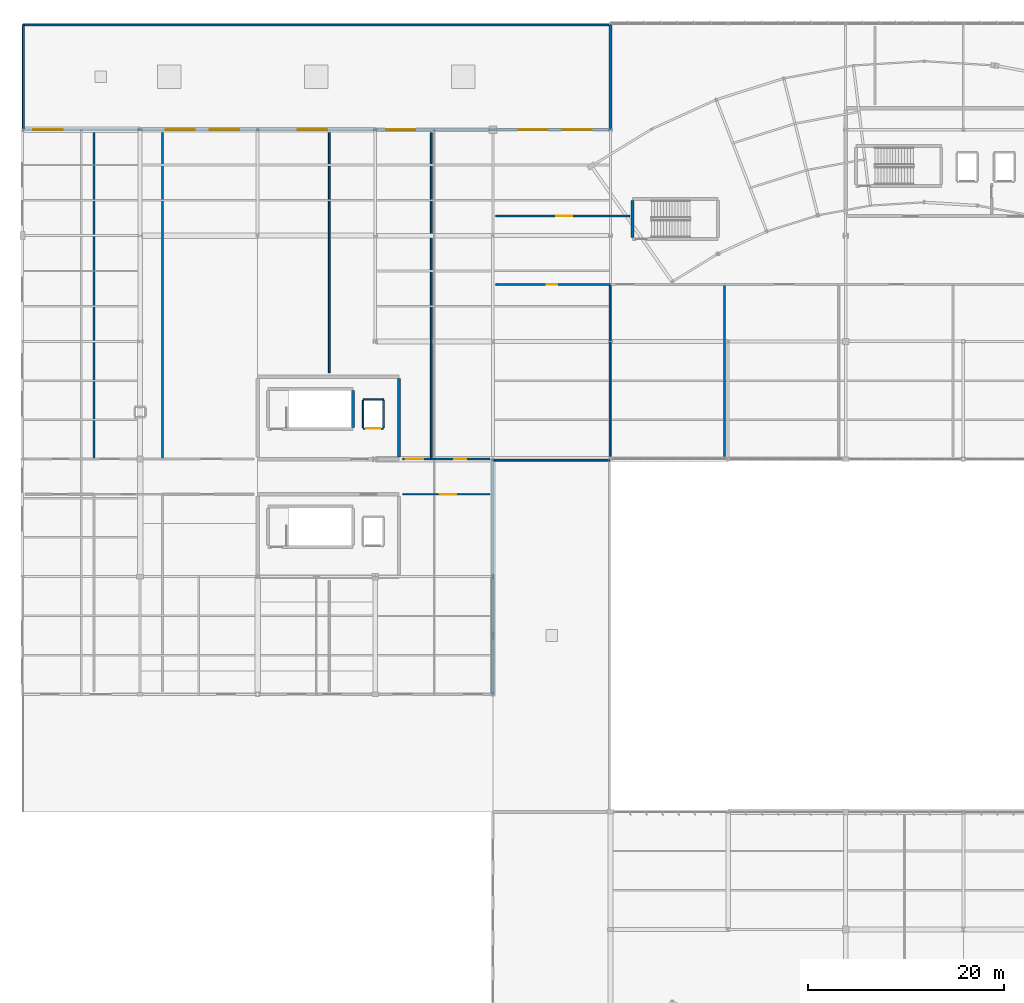
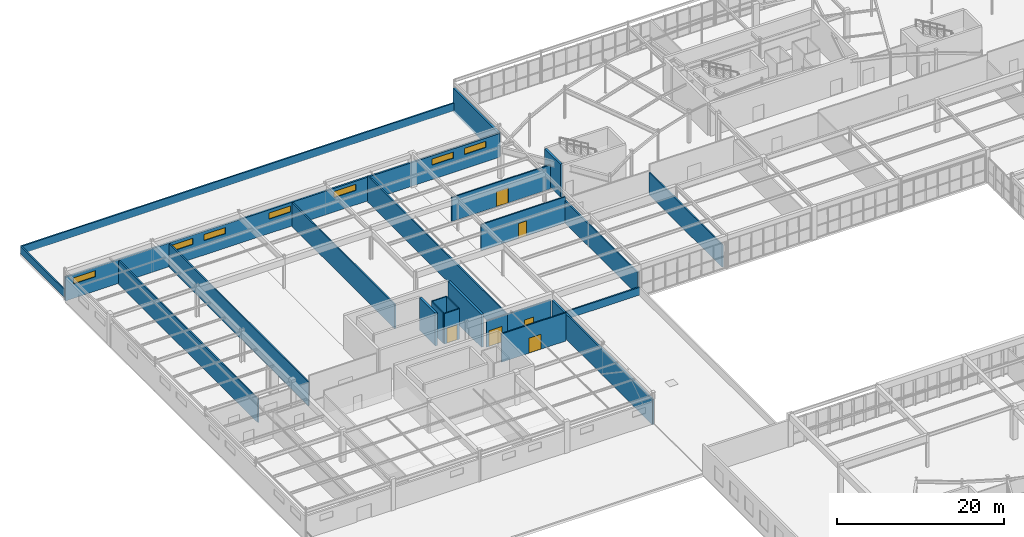
# One storey, part 159 of 186: 24 walls, 7 windows, 6 doors, 13 openings.
"""IFC4 building model written with IfcOpenShell, lengths in metres."""

from ifc_helpers import new_model, si_unit, direction, frame, frame_2d, origin, place, context, subcontext, project, spatial, rectangle, extrude, material, layer, layer_set, type_object, element, fill, save


model = new_model("IFC4")

# Units and contexts
model_context = context("Model", 3, precision=1e-05, world=origin(), true_north=direction((0.0, 1.0)))
body_context = subcontext(model_context, "Body", "Model", "MODEL_VIEW")
ifc_project = project(units=[si_unit("LENGTHUNIT", "METRE"), si_unit("AREAUNIT", "SQUARE_METRE"), si_unit("VOLUMEUNIT", "CUBIC_METRE"), si_unit("PLANEANGLEUNIT", "RADIAN"), si_unit("MASSUNIT", "GRAM", prefix="KILO")], contexts=[model_context])

# Site, building, storey
site_placement = place(None, origin())
site = spatial("IfcSite", under=ifc_project, at=site_placement, CompositionType="ELEMENT")
building_placement = place(site_placement, origin())
building = spatial("IfcBuilding", under=site, at=building_placement, Name="Tarnwether General Hospital", CompositionType="ELEMENT")
storey_placement = place(building_placement, frame((0.0, 0.0, 9.60009765625)))
storey = spatial("IfcBuildingStorey", under=building, at=storey_placement, Name="L02", CompositionType="ELEMENT", Elevation=9.60009765625)

# Wall, openings, windows
ifc_material_1 = material(Name="Folded zinc-titanium cladding")
ifc_layer_1 = layer(ifc_material_1, 0.239990234375)
ifc_layer_set_1 = layer_set([ifc_layer_1], Name="Folded zinc-titanium cladding")
wall_type_1 = type_object("IfcWallType", Name="WL-EX240", PredefinedType="STANDARD", material=ifc_layer_set_1)
wall_1_placement = place(storey_placement, frame((0.0, 115.199951171875, 0.0), z_axis=(0.0, 0.0, 1.0), x_axis=(1.0, 0.0, 0.0)))
wall_1 = element("IfcWall", 1, at=wall_1_placement, inside=storey, type_object=wall_type_1, Name="L02 Operating Suite North Wall EW-L02-0315", PredefinedType="STANDARD", context=body_context, shape_type="SweptSolid", body=[
    extrude(rectangle(XDim=60.0, YDim=0.239990234375, at=frame_2d((30.0, 0.0))), origin(), (0.0, 0.0, 1.0), 3.46484375),
])
opening_1_placement = place(wall_1_placement, frame((1.10009765625, 0.0, 2.10009765625)))
opening_1 = element("IfcOpeningElement", 2, at=opening_1_placement, cuts=wall_1, Name="Opening W-20", PredefinedType="OPENING", context=body_context, shape_type="SweptSolid", body=[
    extrude(rectangle(XDim=3.0, YDim=0.89990234375, at=frame_2d((1.5, 0.449951171875))), frame((0.0, 0.1298828125, 0.0), z_axis=(0.0, -1.0, 0.0), x_axis=(1.0, 0.0, 0.0)), (0.0, 0.0, 1.0), 0.260009765625),
])
opening_2_placement = place(wall_1_placement, frame((14.60009765625, 0.0, 2.10009765625)))
opening_2 = element("IfcOpeningElement", 3, at=opening_2_placement, cuts=wall_1, Name="Opening W-20", PredefinedType="OPENING", context=body_context, shape_type="SweptSolid", body=[
    extrude(rectangle(XDim=3.0, YDim=0.89990234375, at=frame_2d((1.5, 0.449951171875))), frame((0.0, 0.1298828125, 0.0), z_axis=(0.0, -1.0, 0.0), x_axis=(1.0, 0.0, 0.0)), (0.0, 0.0, 1.0), 0.260009765625),
])
opening_3_placement = place(wall_1_placement, frame((19.10009765625, 0.0, 2.10009765625)))
opening_3 = element("IfcOpeningElement", 4, at=opening_3_placement, cuts=wall_1, Name="Opening W-20", PredefinedType="OPENING", context=body_context, shape_type="SweptSolid", body=[
    extrude(rectangle(XDim=3.0, YDim=0.89990234375, at=frame_2d((1.5, 0.449951171875))), frame((0.0, 0.1298828125, 0.0), z_axis=(0.0, -1.0, 0.0), x_axis=(1.0, 0.0, 0.0)), (0.0, 0.0, 1.0), 0.260009765625),
])
opening_4_placement = place(wall_1_placement, frame((28.10009765625, 0.0, 2.10009765625)))
opening_4 = element("IfcOpeningElement", 5, at=opening_4_placement, cuts=wall_1, Name="Opening W-20", PredefinedType="OPENING", context=body_context, shape_type="SweptSolid", body=[
    extrude(rectangle(XDim=3.0, YDim=0.89990234375, at=frame_2d((1.5, 0.449951171875))), frame((0.0, 0.1298828125, 0.0), z_axis=(0.0, -1.0, 0.0), x_axis=(1.0, 0.0, 0.0)), (0.0, 0.0, 1.0), 0.260009765625),
])
opening_5_placement = place(wall_1_placement, frame((37.10009765625, 0.0, 2.10009765625)))
opening_5 = element("IfcOpeningElement", 6, at=opening_5_placement, cuts=wall_1, Name="Opening W-20", PredefinedType="OPENING", context=body_context, shape_type="SweptSolid", body=[
    extrude(rectangle(XDim=3.0, YDim=0.89990234375, at=frame_2d((1.5, 0.449951171875))), frame((0.0, 0.1298828125, 0.0), z_axis=(0.0, -1.0, 0.0), x_axis=(1.0, 0.0, 0.0)), (0.0, 0.0, 1.0), 0.260009765625),
])
opening_6_placement = place(wall_1_placement, frame((50.60009765625, 0.0, 2.10009765625)))
opening_6 = element("IfcOpeningElement", 7, at=opening_6_placement, cuts=wall_1, Name="Opening W-20", PredefinedType="OPENING", context=body_context, shape_type="SweptSolid", body=[
    extrude(rectangle(XDim=3.0, YDim=0.89990234375, at=frame_2d((1.5, 0.449951171875))), frame((0.0, 0.1298828125, 0.0), z_axis=(0.0, -1.0, 0.0), x_axis=(1.0, 0.0, 0.0)), (0.0, 0.0, 1.0), 0.260009765625),
])
opening_7_placement = place(wall_1_placement, frame((55.10009765625, 0.0, 2.10009765625)))
opening_7 = element("IfcOpeningElement", 8, at=opening_7_placement, cuts=wall_1, Name="Opening W-20", PredefinedType="OPENING", context=body_context, shape_type="SweptSolid", body=[
    extrude(rectangle(XDim=3.0, YDim=0.89990234375, at=frame_2d((1.5, 0.449951171875))), frame((0.0, 0.1298828125, 0.0), z_axis=(0.0, -1.0, 0.0), x_axis=(1.0, 0.0, 0.0)), (0.0, 0.0, 1.0), 0.260009765625),
])
ifc_material_2 = material(Name="Double glazed low-E glass", Category="glass")
window_type = type_object("IfcWindowType", Name="WN-20", PartitioningType="TRIPLE_PANEL_VERTICAL", PredefinedType="WINDOW", material=ifc_material_2)
window_1_placement = place(opening_1_placement, origin())
window_1 = element("IfcWindow", 9, at=window_1_placement, inside=storey, type_object=window_type, Name="Window WN-L02-0122", OverallHeight=0.89990234375, OverallWidth=3.0, PartitioningType="TRIPLE_PANEL_VERTICAL", PredefinedType="WINDOW", context=body_context, shape_type="SweptSolid", body=[
    extrude(rectangle(XDim=3.0, YDim=0.89990234375, at=frame_2d((1.5, 0.449951171875))), frame((0.0, 0.030029296875, 0.0), z_axis=(0.0, -1.0, 0.0), x_axis=(1.0, 0.0, 0.0)), (0.0, 0.0, 1.0), 0.06005859375),
])
fill(opening_1, window_1)
window_2_placement = place(opening_2_placement, origin())
window_2 = element("IfcWindow", 10, at=window_2_placement, inside=storey, type_object=window_type, Name="Window WN-L02-0123", OverallHeight=0.89990234375, OverallWidth=3.0, PartitioningType="TRIPLE_PANEL_VERTICAL", PredefinedType="WINDOW", context=body_context, shape_type="SweptSolid", body=[
    extrude(rectangle(XDim=3.0, YDim=0.89990234375, at=frame_2d((1.5, 0.449951171875))), frame((0.0, 0.030029296875, 0.0), z_axis=(0.0, -1.0, 0.0), x_axis=(1.0, 0.0, 0.0)), (0.0, 0.0, 1.0), 0.06005859375),
])
fill(opening_2, window_2)
window_3_placement = place(opening_3_placement, origin())
window_3 = element("IfcWindow", 11, at=window_3_placement, inside=storey, type_object=window_type, Name="Window WN-L02-0124", OverallHeight=0.89990234375, OverallWidth=3.0, PartitioningType="TRIPLE_PANEL_VERTICAL", PredefinedType="WINDOW", context=body_context, shape_type="SweptSolid", body=[
    extrude(rectangle(XDim=3.0, YDim=0.89990234375, at=frame_2d((1.5, 0.449951171875))), frame((0.0, 0.030029296875, 0.0), z_axis=(0.0, -1.0, 0.0), x_axis=(1.0, 0.0, 0.0)), (0.0, 0.0, 1.0), 0.06005859375),
])
fill(opening_3, window_3)
window_4_placement = place(opening_4_placement, origin())
window_4 = element("IfcWindow", 12, at=window_4_placement, inside=storey, type_object=window_type, Name="Window WN-L02-0125", OverallHeight=0.89990234375, OverallWidth=3.0, PartitioningType="TRIPLE_PANEL_VERTICAL", PredefinedType="WINDOW", context=body_context, shape_type="SweptSolid", body=[
    extrude(rectangle(XDim=3.0, YDim=0.89990234375, at=frame_2d((1.5, 0.449951171875))), frame((0.0, 0.030029296875, 0.0), z_axis=(0.0, -1.0, 0.0), x_axis=(1.0, 0.0, 0.0)), (0.0, 0.0, 1.0), 0.06005859375),
])
fill(opening_4, window_4)
window_5_placement = place(opening_5_placement, origin())
window_5 = element("IfcWindow", 13, at=window_5_placement, inside=storey, type_object=window_type, Name="Window WN-L02-0126", OverallHeight=0.89990234375, OverallWidth=3.0, PartitioningType="TRIPLE_PANEL_VERTICAL", PredefinedType="WINDOW", context=body_context, shape_type="SweptSolid", body=[
    extrude(rectangle(XDim=3.0, YDim=0.89990234375, at=frame_2d((1.5, 0.449951171875))), frame((0.0, 0.030029296875, 0.0), z_axis=(0.0, -1.0, 0.0), x_axis=(1.0, 0.0, 0.0)), (0.0, 0.0, 1.0), 0.06005859375),
])
fill(opening_5, window_5)
window_6_placement = place(opening_6_placement, origin())
window_6 = element("IfcWindow", 14, at=window_6_placement, inside=storey, type_object=window_type, Name="Window WN-L02-0127", OverallHeight=0.89990234375, OverallWidth=3.0, PartitioningType="TRIPLE_PANEL_VERTICAL", PredefinedType="WINDOW", context=body_context, shape_type="SweptSolid", body=[
    extrude(rectangle(XDim=3.0, YDim=0.89990234375, at=frame_2d((1.5, 0.449951171875))), frame((0.0, 0.030029296875, 0.0), z_axis=(0.0, -1.0, 0.0), x_axis=(1.0, 0.0, 0.0)), (0.0, 0.0, 1.0), 0.06005859375),
])
fill(opening_6, window_6)
window_7_placement = place(opening_7_placement, origin())
window_7 = element("IfcWindow", 15, at=window_7_placement, inside=storey, type_object=window_type, Name="Window WN-L02-0128", OverallHeight=0.89990234375, OverallWidth=3.0, PartitioningType="TRIPLE_PANEL_VERTICAL", PredefinedType="WINDOW", context=body_context, shape_type="SweptSolid", body=[
    extrude(rectangle(XDim=3.0, YDim=0.89990234375, at=frame_2d((1.5, 0.449951171875))), frame((0.0, 0.030029296875, 0.0), z_axis=(0.0, -1.0, 0.0), x_axis=(1.0, 0.0, 0.0)), (0.0, 0.0, 1.0), 0.06005859375),
])
fill(opening_7, window_7)

# Walls
wall_2_placement = place(storey_placement, frame((48.0, 81.60009765625, 0.0), z_axis=(0.0, 0.0, 1.0), x_axis=(0.0, -1.0, 0.0)))
element("IfcWall", 16, at=wall_2_placement, inside=storey, type_object=wall_type_1, Name="L02 Operating Suite East Courtyard Wall EW-L02-0319", PredefinedType="STANDARD", context=body_context, shape_type="SweptSolid", body=[
    extrude(rectangle(XDim=24.0, YDim=0.239990234375, at=frame_2d((12.0, 0.0))), origin(), (0.0, 0.0, 1.0), 3.664794921875),
])
ifc_material_3 = material(Name="Precast concrete 40 MPa", Category="concrete")
ifc_layer_2 = layer(ifc_material_3, 0.280029296875)
ifc_layer_set_2 = layer_set([ifc_layer_2], Name="Precast concrete 40 MPa")
wall_type_2 = type_object("IfcWallType", Name="WL-EX280", PredefinedType="STANDARD", material=ifc_layer_set_2)
wall_3_placement = place(storey_placement, frame((60.0, 115.199951171875, 0.0), z_axis=(0.0, 0.0, 1.0), x_axis=(0.0, 1.0, 0.0)))
element("IfcWall", 17, at=wall_3_placement, inside=storey, type_object=wall_type_2, Name="L02 Perioperative North-West Step Wall EW-L02-0316", PredefinedType="STANDARD", context=body_context, shape_type="SweptSolid", body=[
    extrude(rectangle(XDim=10.800048828125, YDim=0.280029296875, at=frame_2d((5.39990234375, 0.0))), origin(), (0.0, 0.0, 1.0), 3.514892578125),
])
ifc_material_4 = material(Name="Precast concrete 40 MPa", Category="concrete")
ifc_layer_3 = layer(ifc_material_4, 0.199951171875)
ifc_layer_set_3 = layer_set([ifc_layer_3], Name="Precast concrete 40 MPa")
wall_type_3 = type_object("IfcWallType", Name="WL-PR200", PredefinedType="PARAPET", material=ifc_layer_set_3)
wall_4_placement = place(storey_placement, frame((0.10009765625, 115.300048828125, 0.329833984375), z_axis=(0.0, 0.0, 1.0), x_axis=(0.0, 1.0, 0.0)))
element("IfcWall", 18, at=wall_4_placement, inside=storey, type_object=wall_type_3, Name="Flat Roof Parapet EW-L02-0345", PredefinedType="PARAPET", context=body_context, shape_type="SweptSolid", body=[
    extrude(rectangle(XDim=10.599853515625, YDim=0.199951171875, at=frame_2d((5.2998046875, 0.0))), origin(), (0.0, 0.0, 1.0), 1.1201171875),
])
wall_5_placement = place(storey_placement, frame((0.10009765625, 125.89990234375, 0.329833984375), z_axis=(0.0, 0.0, 1.0), x_axis=(1.0, 0.0, 0.0)))
element("IfcWall", 19, at=wall_5_placement, inside=storey, type_object=wall_type_3, Name="Flat Roof Parapet EW-L02-0346", PredefinedType="PARAPET", context=body_context, shape_type="SweptSolid", body=[
    extrude(rectangle(XDim=59.7998046875, YDim=0.199951171875, at=frame_2d((29.89990234375, 0.0))), origin(), (0.0, 0.0, 1.0), 1.1201171875),
])
wall_6_placement = place(storey_placement, frame((48.10009765625, 81.5, 0.329833984375), z_axis=(0.0, 0.0, 1.0), x_axis=(1.0, 0.0, 0.0)))
element("IfcWall", 20, at=wall_6_placement, inside=storey, type_object=wall_type_3, Name="Flat Roof Parapet EW-L02-0347", PredefinedType="PARAPET", context=body_context, shape_type="SweptSolid", body=[
    extrude(rectangle(XDim=11.7998046875, YDim=0.199951171875, at=frame_2d((5.89990234375, 0.0))), origin(), (0.0, 0.0, 1.0), 1.1201171875),
])

# Wall, opening, door
ifc_material_5 = material(Name="Gypsum plasterboard")
ifc_layer_4 = layer(ifc_material_5, 0.159912109375)
ifc_layer_set_4 = layer_set([ifc_layer_4], Name="Gypsum plasterboard")
wall_type_4 = type_object("IfcWallType", Name="WL-PT160", PredefinedType="PARTITIONING", material=ifc_layer_set_4)
wall_7_placement = place(storey_placement, frame((34.760009765625, 84.7099609375, 0.0), z_axis=(0.0, 0.0, 1.0), x_axis=(1.0, 0.0, 0.0)))
wall_7 = element("IfcWall", 21, at=wall_7_placement, inside=storey, type_object=wall_type_4, Name="Lift L-08 Shaft Wall LSH-L-08-L02-S", PredefinedType="PARTITIONING", context=body_context, shape_type="SweptSolid", body=[
    extrude(rectangle(XDim=2.080078125, YDim=0.159912109375, at=frame_2d((1.0400390625, 0.0))), origin(), (0.0, 0.0, 1.0), 4.429931640625),
])
opening_8_placement = place(wall_7_placement, frame((0.340087890625, 0.0, 0.0)))
opening_8 = element("IfcOpeningElement", 22, at=opening_8_placement, cuts=wall_7, Name="Opening LD-01", PredefinedType="OPENING", context=body_context, shape_type="SweptSolid", body=[
    extrude(rectangle(XDim=1.39990234375, YDim=2.199951171875, at=frame_2d((0.699951171875, 1.10009765625))), frame((0.0, 0.08984375, 0.0), z_axis=(0.0, -1.0, 0.0), x_axis=(1.0, 0.0, 0.0)), (0.0, 0.0, 1.0), 0.179931640625),
])
ifc_material_6 = material(Name="Anodised aluminium", Category="aluminium")
door_type_1 = type_object("IfcDoorType", Name="DR-LD01", OperationType="NOTDEFINED", PredefinedType="DOOR", material=ifc_material_6)
door_1_placement = place(opening_8_placement, origin())
door_1 = element("IfcDoor", 23, at=door_1_placement, inside=storey, type_object=door_type_1, Name="Lift L-08 Sliding Landing Door L02", OperationType="SLIDING_TO_RIGHT", OverallHeight=2.199951171875, OverallWidth=1.39990234375, PredefinedType="DOOR", context=body_context, shape_type="SweptSolid", body=[
    extrude(rectangle(XDim=1.39990234375, YDim=2.199951171875, at=frame_2d((0.699951171875, 1.10009765625))), frame((0.0, 0.02490234375, 0.0), z_axis=(0.0, -1.0, 0.0), x_axis=(1.0, 0.0, 0.0)), (0.0, 0.0, 1.0), 0.050048828125),
])
fill(opening_8, door_1)

# Walls
wall_8_placement = place(storey_placement, frame((36.840087890625, 87.68994140625, 0.0), z_axis=(0.0, 0.0, 1.0), x_axis=(-1.0, 0.0, 0.0)))
element("IfcWall", 24, at=wall_8_placement, inside=storey, type_object=wall_type_4, Name="Lift L-08 Shaft Wall LSH-L-08-L02-N", PredefinedType="PARTITIONING", context=body_context, shape_type="SweptSolid", body=[
    extrude(rectangle(XDim=2.080078125, YDim=0.159912109375, at=frame_2d((1.0400390625, 0.0))), origin(), (0.0, 0.0, 1.0), 4.429931640625),
])
for number, where, z_axis, x_axis, name in (
    (25, (34.760009765625, 87.590087890625, 0.0), (0.0, 0.0, 1.0), (0.0, -1.0, 0.0), "Lift L-08 Shaft Wall LSH-L-08-L02-W"),
    (26, (36.840087890625, 84.81005859375, 0.0), (0.0, 0.0, 1.0), (0.0, 1.0, 0.0), "Lift L-08 Shaft Wall LSH-L-08-L02-E"),
):
    element("IfcWall", number, at=place(storey_placement, frame(where, z_axis=z_axis, x_axis=x_axis)), inside=storey, type_object=wall_type_4, Name=name, PredefinedType="PARTITIONING", context=body_context, shape_type="SweptSolid", body=[
        extrude(rectangle(XDim=2.780029296875, YDim=0.159912109375, at=frame_2d((1.39013671875, 0.0))), origin(), (0.0, 0.0, 1.0), 4.429931640625),
    ])

# Wall, opening, door
ifc_material_7 = material(Name="Gypsum plasterboard")
ifc_layer_5 = layer(ifc_material_7, 0.179931640625)
ifc_layer_set_5 = layer_set([ifc_layer_5], Name="Gypsum plasterboard")
wall_type_5 = type_object("IfcWallType", Name="WL-PT180", PredefinedType="PARTITIONING", material=ifc_layer_set_5)
wall_9_placement = place(storey_placement, frame((38.800048828125, 78.0, 0.0), z_axis=(0.0, 0.0, 1.0), x_axis=(1.0, 0.0, 0.0)))
wall_9 = element("IfcWall", 27, at=wall_9_placement, inside=storey, type_object=wall_type_5, Name="Interior Partition PT-L02-0246", PredefinedType="PARTITIONING", context=body_context, shape_type="SweptSolid", body=[
    extrude(rectangle(XDim=8.89990234375, YDim=0.179931640625, at=frame_2d((4.449951171875, 0.0))), origin(), (0.0, 0.0, 1.0), 4.135009765625),
])
opening_9_placement = place(wall_9_placement, frame((3.800048828125, 0.0, 0.0)))
opening_9 = element("IfcOpeningElement", 28, at=opening_9_placement, cuts=wall_9, Name="Opening FD-01", PredefinedType="OPENING", context=body_context, shape_type="SweptSolid", body=[
    extrude(rectangle(XDim=1.639892578125, YDim=2.199951171875, at=frame_2d((0.81982421875, 1.10009765625))), frame((0.0, 0.10009765625, 0.0), z_axis=(0.0, -1.0, 0.0), x_axis=(1.0, 0.0, 0.0)), (0.0, 0.0, 1.0), 0.199951171875),
])
ifc_material_8 = material(Name="Anodised aluminium", Category="aluminium")
door_type_2 = type_object("IfcDoorType", Name="DR-FD01", OperationType="NOTDEFINED", PredefinedType="DOOR", material=ifc_material_8)
door_2_placement = place(opening_9_placement, origin())
door_2 = element("IfcDoor", 29, at=door_2_placement, inside=storey, type_object=door_type_2, Name="Interior Door DR-L02-0136", OperationType="DOUBLE_DOOR_SINGLE_SWING", OverallHeight=2.199951171875, OverallWidth=1.639892578125, PredefinedType="DOOR", context=body_context, shape_type="SweptSolid", body=[
    extrude(rectangle(XDim=1.639892578125, YDim=2.199951171875, at=frame_2d((0.81982421875, 1.10009765625))), frame((0.0, 0.02490234375, 0.0), z_axis=(0.0, -1.0, 0.0), x_axis=(1.0, 0.0, 0.0)), (0.0, 0.0, 1.0), 0.050048828125),
])
fill(opening_9, door_2)

# Walls
for number, where, z_axis, x_axis, name in (
    (30, (7.300048828125, 81.60009765625, 0.0), (0.0, 0.0, 1.0), (0.0, 1.0, 0.0), "Interior Partition PT-L02-0248"),
    (31, (14.300048828125, 81.60009765625, 0.0), (0.0, 0.0, 1.0), (0.0, 1.0, 0.0), "Interior Partition PT-L02-0250"),
):
    element("IfcWall", number, at=place(storey_placement, frame(where, z_axis=z_axis, x_axis=x_axis)), inside=storey, type_object=wall_type_5, Name=name, PredefinedType="PARTITIONING", context=body_context, shape_type="SweptSolid", body=[
        extrude(rectangle(XDim=33.2998046875, YDim=0.179931640625, at=frame_2d((16.64990234375, 0.0))), origin(), (0.0, 0.0, 1.0), 3.46484375),
    ])
wall_10_placement = place(storey_placement, frame((31.300048828125, 90.39990234375, 0.0), z_axis=(0.0, 0.0, 1.0), x_axis=(0.0, 1.0, 0.0)))
element("IfcWall", 32, at=wall_10_placement, inside=storey, type_object=wall_type_5, Name="Interior Partition PT-L02-0252", PredefinedType="PARTITIONING", context=body_context, shape_type="SweptSolid", body=[
    extrude(rectangle(XDim=24.5, YDim=0.179931640625, at=frame_2d((12.25, 0.0))), origin(), (0.0, 0.0, 1.0), 3.514892578125),
])

# Wall, opening, door
wall_11_placement = place(storey_placement, frame((38.800048828125, 81.60009765625, 0.0), z_axis=(0.0, 0.0, 1.0), x_axis=(1.0, 0.0, 0.0)))
wall_11 = element("IfcWall", 33, at=wall_11_placement, inside=storey, type_object=wall_type_5, Name="Interior Partition PT-L02-0253", PredefinedType="PARTITIONING", context=body_context, shape_type="SweptSolid", body=[
    extrude(rectangle(XDim=2.89990234375, YDim=0.179931640625, at=frame_2d((1.449951171875, 0.0))), origin(), (0.0, 0.0, 1.0), 3.8349609375),
])
opening_10_placement = place(wall_11_placement, frame((0.320068359375, 0.0, 0.0)))
opening_10 = element("IfcOpeningElement", 34, at=opening_10_placement, cuts=wall_11, Name="Opening SD-01", PredefinedType="OPENING", context=body_context, shape_type="SweptSolid", body=[
    extrude(rectangle(XDim=1.800048828125, YDim=2.320068359375, at=frame_2d((0.89990234375, 1.16015625))), frame((0.0, 0.10009765625, 0.0), z_axis=(0.0, -1.0, 0.0), x_axis=(1.0, 0.0, 0.0)), (0.0, 0.0, 1.0), 0.199951171875),
])
ifc_material_9 = material(Name="Anodised aluminium", Category="aluminium")
door_type_3 = type_object("IfcDoorType", Name="DR-OR01", OperationType="NOTDEFINED", PredefinedType="DOOR", material=ifc_material_9)
door_3_placement = place(opening_10_placement, origin())
door_3 = element("IfcDoor", 35, at=door_3_placement, inside=storey, type_object=door_type_3, Name="Interior Door DR-L02-0140", OperationType="SLIDING_TO_LEFT", OverallHeight=2.320068359375, OverallWidth=1.800048828125, PredefinedType="DOOR", context=body_context, shape_type="SweptSolid", body=[
    extrude(rectangle(XDim=1.800048828125, YDim=2.320068359375, at=frame_2d((0.89990234375, 1.16015625))), frame((0.0, 0.02490234375, 0.0), z_axis=(0.0, -1.0, 0.0), x_axis=(1.0, 0.0, 0.0)), (0.0, 0.0, 1.0), 0.050048828125),
])
fill(opening_10, door_3)

# Wall
wall_12_placement = place(storey_placement, frame((41.699951171875, 81.60009765625, 0.0), z_axis=(0.0, 0.0, 1.0), x_axis=(0.0, 1.0, 0.0)))
element("IfcWall", 36, at=wall_12_placement, inside=storey, type_object=wall_type_5, Name="Interior Partition PT-L02-0254", PredefinedType="PARTITIONING", context=body_context, shape_type="SweptSolid", body=[
    extrude(rectangle(XDim=33.2998046875, YDim=0.179931640625, at=frame_2d((16.64990234375, 0.0))), origin(), (0.0, 0.0, 1.0), 3.8349609375),
])

# Wall, opening, door
wall_13_placement = place(storey_placement, frame((41.699951171875, 81.60009765625, 0.0), z_axis=(0.0, 0.0, 1.0), x_axis=(1.0, 0.0, 0.0)))
wall_13 = element("IfcWall", 37, at=wall_13_placement, inside=storey, type_object=wall_type_5, Name="Interior Partition PT-L02-0255", PredefinedType="PARTITIONING", context=body_context, shape_type="SweptSolid", body=[
    extrude(rectangle(XDim=6.0, YDim=0.179931640625, at=frame_2d((3.0, 0.0))), origin(), (0.0, 0.0, 1.0), 3.8349609375),
])
opening_11_placement = place(wall_13_placement, frame((2.35009765625, 0.0, 0.0)))
opening_11 = element("IfcOpeningElement", 38, at=opening_11_placement, cuts=wall_13, Name="Opening FD-05", PredefinedType="OPENING", context=body_context, shape_type="SweptSolid", body=[
    extrude(rectangle(XDim=1.25, YDim=2.14990234375, at=frame_2d((0.625, 1.074951171875))), frame((0.0, 0.10009765625, 0.0), z_axis=(0.0, -1.0, 0.0), x_axis=(1.0, 0.0, 0.0)), (0.0, 0.0, 1.0), 0.199951171875),
])
ifc_material_10 = material(Name="Anodised aluminium", Category="aluminium")
door_type_4 = type_object("IfcDoorType", Name="DR-FD05", OperationType="NOTDEFINED", PredefinedType="DOOR", material=ifc_material_10)
door_4_placement = place(opening_11_placement, origin())
door_4 = element("IfcDoor", 39, at=door_4_placement, inside=storey, type_object=door_type_4, Name="Interior Door DR-L02-0141", OperationType="SINGLE_SWING_LEFT", OverallHeight=2.14990234375, OverallWidth=1.25, PredefinedType="DOOR", context=body_context, shape_type="SweptSolid", body=[
    extrude(rectangle(XDim=1.25, YDim=2.14990234375, at=frame_2d((0.625, 1.074951171875))), frame((0.0, 0.02490234375, 0.0), z_axis=(0.0, -1.0, 0.0), x_axis=(1.0, 0.0, 0.0)), (0.0, 0.0, 1.0), 0.050048828125),
])
fill(opening_11, door_4)

wall_14_placement = place(storey_placement, frame((48.300048828125, 99.39990234375, 0.0), z_axis=(0.0, 0.0, 1.0), x_axis=(1.0, 0.0, 0.0)))
wall_14 = element("IfcWall", 40, at=wall_14_placement, inside=storey, type_object=wall_type_5, Name="Interior Partition PT-L02-0256", PredefinedType="PARTITIONING", context=body_context, shape_type="SweptSolid", body=[
    extrude(rectangle(XDim=11.662841796875, YDim=0.179931640625, at=frame_2d((5.83154296875, 0.0))), origin(), (0.0, 0.0, 1.0), 3.802978515625),
])
opening_12_placement = place(wall_14_placement, frame((5.181884765625, 0.0, 0.0)))
opening_12 = element("IfcOpeningElement", 41, at=opening_12_placement, cuts=wall_14, Name="Opening FD-06", PredefinedType="OPENING", context=body_context, shape_type="SweptSolid", body=[
    extrude(rectangle(XDim=1.10009765625, YDim=2.14990234375, at=frame_2d((0.550048828125, 1.074951171875))), frame((0.0, 0.10009765625, 0.0), z_axis=(0.0, -1.0, 0.0), x_axis=(1.0, 0.0, 0.0)), (0.0, 0.0, 1.0), 0.199951171875),
])
ifc_material_11 = material(Name="Anodised aluminium", Category="aluminium")
door_type_5 = type_object("IfcDoorType", Name="DR-FD06", OperationType="NOTDEFINED", PredefinedType="DOOR", material=ifc_material_11)
door_5_placement = place(opening_12_placement, origin())
door_5 = element("IfcDoor", 42, at=door_5_placement, inside=storey, type_object=door_type_5, Name="Interior Door DR-L02-0142", OperationType="SINGLE_SWING_RIGHT", OverallHeight=2.14990234375, OverallWidth=1.10009765625, PredefinedType="DOOR", context=body_context, shape_type="SweptSolid", body=[
    extrude(rectangle(XDim=1.10009765625, YDim=2.14990234375, at=frame_2d((0.550048828125, 1.074951171875))), frame((0.0, 0.02490234375, 0.0), z_axis=(0.0, -1.0, 0.0), x_axis=(1.0, 0.0, 0.0)), (0.0, 0.0, 1.0), 0.050048828125),
])
fill(opening_12, door_5)

# Walls
for number, where, z_axis, x_axis, name in (
    (43, (59.962890625, 81.89990234375, 0.0), (0.0, 0.0, 1.0), (0.0, 1.0, 0.0), "Interior Partition PT-L02-0257"),
    (44, (71.6259765625, 81.89990234375, 0.0), (0.0, 0.0, 1.0), (0.0, 1.0, 0.0), "Interior Partition PT-L02-0259"),
):
    element("IfcWall", number, at=place(storey_placement, frame(where, z_axis=z_axis, x_axis=x_axis)), inside=storey, type_object=wall_type_5, Name=name, PredefinedType="PARTITIONING", context=body_context, shape_type="SweptSolid", body=[
        extrude(rectangle(XDim=17.5, YDim=0.179931640625, at=frame_2d((8.75, 0.0))), origin(), (0.0, 0.0, 1.0), 3.284912109375),
    ])

# Wall, opening, door
wall_15_placement = place(storey_placement, frame((48.300048828125, 106.39990234375, 0.0), z_axis=(0.0, 0.0, 1.0), x_axis=(1.0, 0.0, 0.0)))
wall_15 = element("IfcWall", 45, at=wall_15_placement, inside=storey, type_object=wall_type_5, Name="Interior Partition PT-L02-0267", PredefinedType="PARTITIONING", context=body_context, shape_type="SweptSolid", body=[
    extrude(rectangle(XDim=13.64990234375, YDim=0.179931640625, at=frame_2d((6.824951171875, 0.0))), origin(), (0.0, 0.0, 1.0), 3.514892578125),
])
opening_13_placement = place(wall_15_placement, frame((6.175048828125, 0.0, 0.0)))
opening_13 = element("IfcOpeningElement", 46, at=opening_13_placement, cuts=wall_15, Name="Opening FD-01", PredefinedType="OPENING", context=body_context, shape_type="SweptSolid", body=[
    extrude(rectangle(XDim=1.639892578125, YDim=2.199951171875, at=frame_2d((0.81982421875, 1.10009765625))), frame((0.0, 0.10009765625, 0.0), z_axis=(0.0, -1.0, 0.0), x_axis=(1.0, 0.0, 0.0)), (0.0, 0.0, 1.0), 0.199951171875),
])
door_6_placement = place(opening_13_placement, origin())
door_6 = element("IfcDoor", 47, at=door_6_placement, inside=storey, type_object=door_type_2, Name="Interior Door DR-L02-0148", OperationType="DOUBLE_DOOR_SINGLE_SWING", OverallHeight=2.199951171875, OverallWidth=1.639892578125, PredefinedType="DOOR", context=body_context, shape_type="SweptSolid", body=[
    extrude(rectangle(XDim=1.639892578125, YDim=2.199951171875, at=frame_2d((0.81982421875, 1.10009765625))), frame((0.0, 0.02490234375, 0.0), z_axis=(0.0, -1.0, 0.0), x_axis=(1.0, 0.0, 0.0)), (0.0, 0.0, 1.0), 0.050048828125),
])
fill(opening_13, door_6)

# Walls
ifc_material_12 = material(Name="Concrete 50 MPa", Category="concrete")
ifc_layer_6 = layer(ifc_material_12, 0.300048828125)
ifc_layer_set_6 = layer_set([ifc_layer_6], Name="Concrete 50 MPa")
wall_type_6 = type_object("IfcWallType", Name="WL-SW300", PredefinedType="SHEAR", material=ifc_layer_set_6)
wall_16_placement = place(storey_placement, frame((38.39990234375, 89.800048828125, 0.0), z_axis=(0.0, 0.0, 1.0), x_axis=(0.0, -1.0, 0.0)))
element("IfcWall", 48, at=wall_16_placement, inside=storey, type_object=wall_type_6, Name="Core Shear Wall CWALL-K4-L02-E", PredefinedType="SHEAR", context=body_context, shape_type="SweptSolid", body=[
    extrude(rectangle(XDim=8.0, YDim=0.300048828125, at=frame_2d((4.0, 0.0))), origin(), (0.0, 0.0, 1.0), 4.7998046875),
])
for number, where, z_axis, x_axis, name in (
    (49, (33.75, 84.820068359375, 0.0), (0.0, 0.0, 1.0), (0.0, 1.0, 0.0), "Stairwell Shear Wall STW-ST-04-L02-F"),
    (50, (62.25, 104.219970703125, 0.0), (0.0, 0.0, 1.0), (0.0, 1.0, 0.0), "Stairwell Shear Wall STW-ST-07-L02-L"),
):
    element("IfcWall", number, at=place(storey_placement, frame(where, z_axis=z_axis, x_axis=x_axis)), inside=storey, type_object=wall_type_6, Name=name, PredefinedType="SHEAR", context=body_context, shape_type="SweptSolid", body=[
        extrude(rectangle(XDim=3.760009765625, YDim=0.300048828125, at=frame_2d((1.8798828125, 0.0))), origin(), (0.0, 0.0, 1.0), 4.7998046875),
    ])

save(model, "model.ifc")
